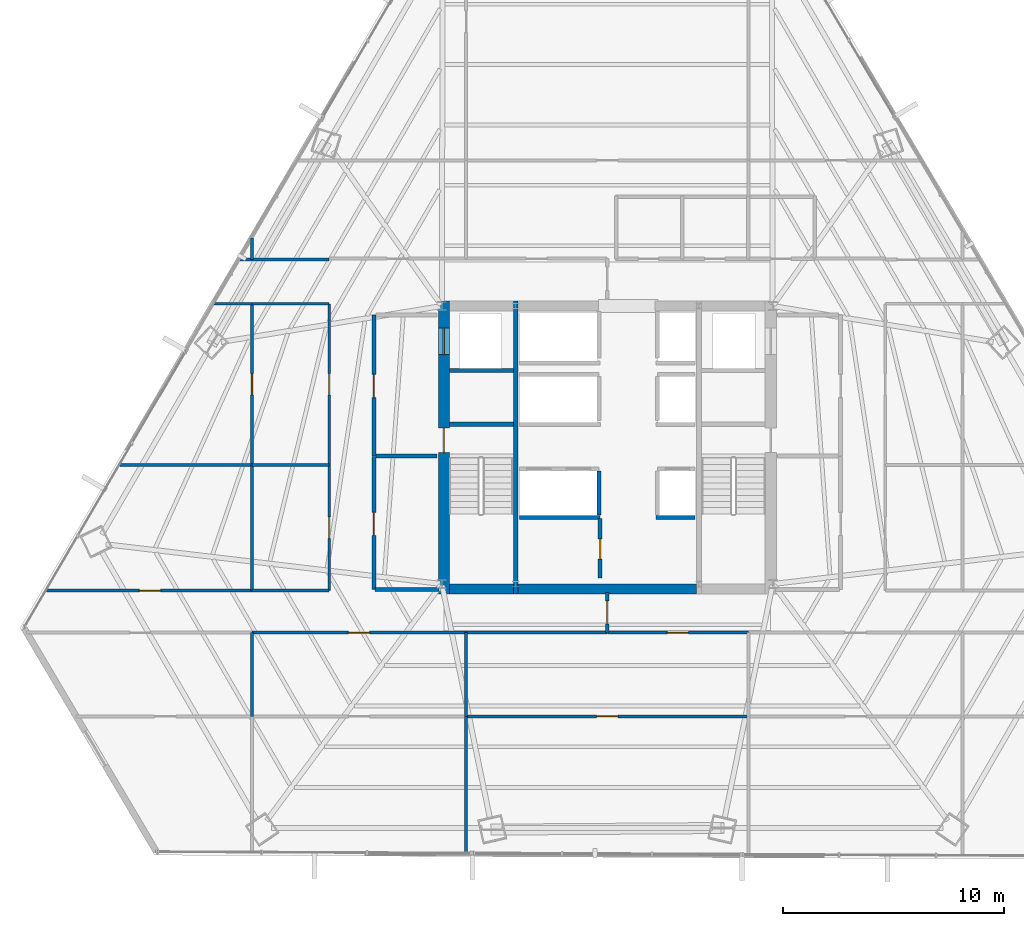
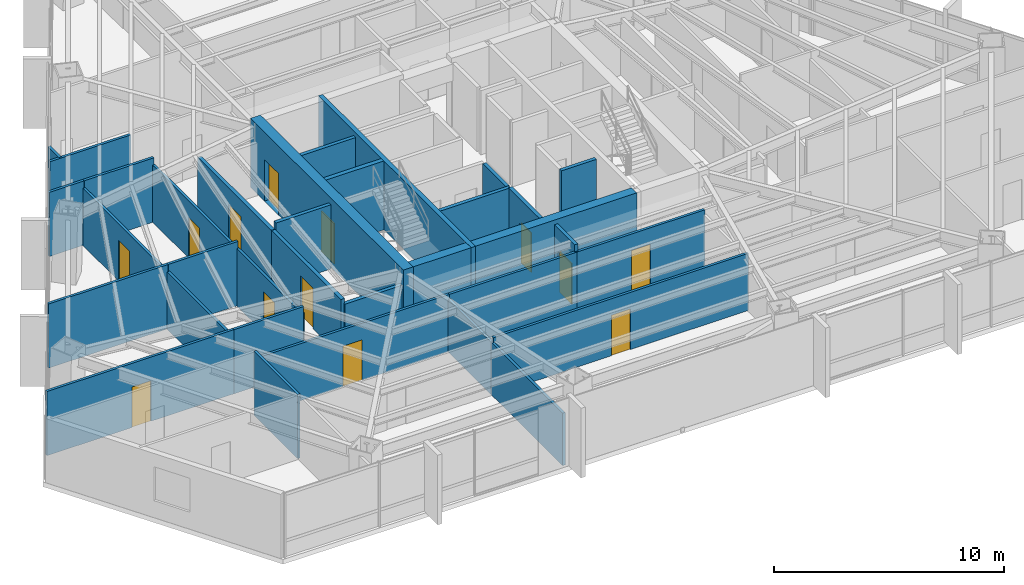
# One storey, part 30 of 37: 34 walls, 13 doors, 13 openings.
"""IFC4 building model written with IfcOpenShell, lengths in metres."""

from ifc_helpers import new_model, si_unit, direction, frame, frame_2d, origin, place, context, subcontext, project, spatial, rectangle, extrude, material, layer, layer_set, type_object, element, fill, save


model = new_model("IFC4")

# Units and contexts
model_context = context("Model", 3, precision=1e-05, world=origin(), true_north=direction((0.0, 1.0)))
body_context = subcontext(model_context, "Body", "Model", "MODEL_VIEW")
ifc_project = project(units=[si_unit("LENGTHUNIT", "METRE"), si_unit("AREAUNIT", "SQUARE_METRE"), si_unit("VOLUMEUNIT", "CUBIC_METRE"), si_unit("PLANEANGLEUNIT", "RADIAN"), si_unit("MASSUNIT", "GRAM", prefix="KILO")], contexts=[model_context])

# Site, building, storey
site_placement = place(None, origin())
site = spatial("IfcSite", under=ifc_project, at=site_placement, CompositionType="ELEMENT")
building_placement = place(site_placement, origin())
building = spatial("IfcBuilding", under=site, at=building_placement, Name="Caelisora Broadcast Tower", CompositionType="ELEMENT")
storey_placement = place(building_placement, frame((0.0, 0.0, 101.75)))
storey = spatial("IfcBuildingStorey", under=building, at=storey_placement, Name="L26", CompositionType="ELEMENT", Elevation=101.75)

# Wall, openings, doors
ifc_material_1 = material(Name="Concrete 50 MPa (AS 3600 S50)", Category="concrete")
ifc_layer_1 = layer(ifc_material_1, 0.5, Name="Concrete 50 MPa (AS 3600 S50)")
ifc_layer_set_1 = layer_set([ifc_layer_1], Name="Concrete 50 MPa (AS 3600 S50)")
wall_type_1 = type_object("IfcWallType", Name="CW2", PredefinedType="SHEAR", material=ifc_layer_set_1)
wall_1_placement = place(storey_placement, frame((30.590087890625, 16.949951171875, 0.0), z_axis=(0.0, 0.0, 1.0), x_axis=(0.0, 1.0, 0.0)))
wall_1 = element("IfcWall", 1, at=wall_1_placement, inside=storey, type_object=wall_type_1, Name="L26 core shear wall CW2", PredefinedType="SHEAR", context=body_context, shape_type="SweptSolid", body=[
    extrude(rectangle(XDim=13.275146484375, YDim=0.5, at=frame_2d((6.6376953125, 0.0))), origin(), (0.0, 0.0, 1.0), 3.64990234375),
])
opening_1_placement = place(wall_1_placement, frame((6.39990234375, 0.0, 0.0)))
opening_1 = element("IfcOpeningElement", 2, at=opening_1_placement, cuts=wall_1, Name="Opening FD04", PredefinedType="OPENING", context=body_context, shape_type="SweptSolid", body=[
    extrude(rectangle(XDim=1.1201171875, YDim=2.14990234375, at=frame_2d((0.56005859375, 1.074951171875))), frame((0.0, 0.261962890625, 0.0), z_axis=(0.0, -1.0, 0.0), x_axis=(1.0, 0.0, 0.0)), (0.0, 0.0, 1.0), 0.52392578125),
])
opening_2_placement = place(wall_1_placement, frame((10.85009765625, 0.0, 0.0)))
opening_2 = element("IfcOpeningElement", 3, at=opening_2_placement, cuts=wall_1, Name="Opening LD04", PredefinedType="OPENING", context=body_context, shape_type="SweptSolid", body=[
    extrude(rectangle(XDim=1.199951171875, YDim=2.199951171875, at=frame_2d((0.60009765625, 1.10009765625))), frame((0.0, 0.261962890625, 0.0), z_axis=(0.0, -1.0, 0.0), x_axis=(1.0, 0.0, 0.0)), (0.0, 0.0, 1.0), 0.52392578125),
])
ifc_material_2 = material(Name="Pressurised Fire-Isolated Stair Door", Category="steel")
door_type_1 = type_object("IfcDoorType", Name="FD04", OperationType="NOTDEFINED", PredefinedType="DOOR", material=ifc_material_2)
door_1_placement = place(opening_1_placement, origin())
door_1 = element("IfcDoor", 4, at=door_1_placement, inside=storey, type_object=door_type_1, Name="L26 door FD04 (L26-DR-ST1)", OperationType="SINGLE_SWING_LEFT", OverallHeight=2.14990234375, OverallWidth=1.1201171875, PredefinedType="DOOR", context=body_context, shape_type="SweptSolid", body=[
    extrude(rectangle(XDim=1.1201171875, YDim=2.14990234375, at=frame_2d((0.56005859375, 1.074951171875))), frame((0.0, 0.02490234375, 0.0), z_axis=(0.0, -1.0, 0.0), x_axis=(1.0, 0.0, 0.0)), (0.0, 0.0, 1.0), 0.050048828125),
])
fill(opening_1, door_1)
ifc_material_3 = material(Name="Emergency Firefighting Lift Sliding Landing Door", Category="steel")
door_type_2 = type_object("IfcDoorType", Name="LD04", OperationType="NOTDEFINED", PredefinedType="DOOR", material=ifc_material_3)
door_2_placement = place(opening_2_placement, origin())
door_2 = element("IfcDoor", 5, at=door_2_placement, inside=storey, type_object=door_type_2, Name="L26 door LD04 (L26-LD-FFL1)", OperationType="SLIDING_TO_LEFT", OverallHeight=2.199951171875, OverallWidth=1.199951171875, PredefinedType="DOOR", context=body_context, shape_type="SweptSolid", body=[
    extrude(rectangle(XDim=1.199951171875, YDim=2.199951171875, at=frame_2d((0.60009765625, 1.10009765625))), frame((0.0, 0.02490234375, 0.0), z_axis=(0.0, -1.0, 0.0), x_axis=(1.0, 0.0, 0.0)), (0.0, 0.0, 1.0), 0.050048828125),
])
fill(opening_2, door_2)

# Walls
ifc_layer_2 = layer(ifc_material_1, 0.449951171875, Name="Concrete 50 MPa (AS 3600 S50)")
ifc_layer_set_2 = layer_set([ifc_layer_2], Name="Concrete 50 MPa (AS 3600 S50)")
wall_type_2 = type_object("IfcWallType", Name="CW5", PredefinedType="SHEAR", material=ifc_layer_set_2)
wall_2_placement = place(storey_placement, frame((30.840087890625, 17.175048828125, 0.0), z_axis=(0.0, 0.0, 1.0), x_axis=(1.0, 0.0, 0.0)))
element("IfcWall", 6, at=wall_2_placement, inside=storey, type_object=wall_type_2, Name="L26 core shear wall CW5", PredefinedType="SHEAR", context=body_context, shape_type="SweptSolid", body=[
    extrude(rectangle(XDim=2.89990234375, YDim=0.449951171875, at=frame_2d((1.449951171875, 0.0))), origin(), (0.0, 0.0, 1.0), 3.64990234375),
])
wall_3_placement = place(storey_placement, frame((33.9599609375, 17.175048828125, 0.0), z_axis=(0.0, 0.0, 1.0), x_axis=(1.0, 0.0, 0.0)))
element("IfcWall", 7, at=wall_3_placement, inside=storey, type_object=wall_type_2, Name="L26 core shear wall CW5", PredefinedType="SHEAR", context=body_context, shape_type="SweptSolid", body=[
    extrude(rectangle(XDim=8.080078125, YDim=0.449951171875, at=frame_2d((4.0400390625, 0.0))), origin(), (0.0, 0.0, 1.0), 3.64990234375),
])
ifc_layer_3 = layer(ifc_material_1, 0.219970703125, Name="Concrete 50 MPa (AS 3600 S50)")
ifc_layer_set_3 = layer_set([ifc_layer_3], Name="Concrete 50 MPa (AS 3600 S50)")
wall_type_3 = type_object("IfcWallType", Name="CW7", PredefinedType="SHEAR", material=ifc_layer_set_3)
wall_4_placement = place(storey_placement, frame((33.85009765625, 16.949951171875, 0.0), z_axis=(0.0, 0.0, 1.0), x_axis=(0.0, 1.0, 0.0)))
element("IfcWall", 8, at=wall_4_placement, inside=storey, type_object=wall_type_3, Name="L26 core shear wall CW7", PredefinedType="SHEAR", context=body_context, shape_type="SweptSolid", body=[
    extrude(rectangle(XDim=13.275146484375, YDim=0.219970703125, at=frame_2d((6.6376953125, 0.0))), origin(), (0.0, 0.0, 1.0), 3.64990234375),
])
wall_5_placement = place(storey_placement, frame((30.840087890625, 24.639892578125, 0.0), z_axis=(0.0, 0.0, 1.0), x_axis=(1.0, 0.0, 0.0)))
element("IfcWall", 9, at=wall_5_placement, inside=storey, type_object=wall_type_3, Name="L26 core shear wall CW7", PredefinedType="SHEAR", context=body_context, shape_type="SweptSolid", body=[
    extrude(rectangle(XDim=2.89990234375, YDim=0.219970703125, at=frame_2d((1.449951171875, 0.0))), origin(), (0.0, 0.0, 1.0), 3.64990234375),
])
ifc_material_4 = material(Name="Fire-Rated Gypsum Shaft and Compartment Wall", Category="gypsum")
ifc_layer_4 = layer(ifc_material_4, 0.179931640625, Name="Fire-Rated Gypsum Shaft and Compartment Wall")
ifc_layer_set_4 = layer_set([ifc_layer_4], Name="Fire-Rated Gypsum Shaft and Compartment Wall")
wall_type_4 = type_object("IfcWallType", Name="PW2", PredefinedType="PARTITIONING", material=ifc_layer_set_4)
wall_6_placement = place(storey_placement, frame((37.6201171875, 20.52001953125, 0.0), z_axis=(0.0, 0.0, 1.0), x_axis=(0.0, 1.0, 0.0)))
element("IfcWall", 10, at=wall_6_placement, inside=storey, type_object=wall_type_4, Name="L26 fire compartment wall PW2", PredefinedType="PARTITIONING", context=body_context, shape_type="SweptSolid", body=[
    extrude(rectangle(XDim=2.0, YDim=0.179931640625, at=frame_2d((1.0, 0.0))), origin(), (0.0, 0.0, 1.0), 3.39990234375),
])

# Wall, opening, door
wall_7_placement = place(storey_placement, frame((27.419921875, 23.199951171875, 0.0), z_axis=(0.0, 0.0, 1.0), x_axis=(0.0, 1.0, 0.0)))
wall_7 = element("IfcWall", 11, at=wall_7_placement, inside=storey, type_object=wall_type_4, Name="L26 fire compartment wall PW2", PredefinedType="PARTITIONING", context=body_context, shape_type="SweptSolid", body=[
    extrude(rectangle(XDim=6.400146484375, YDim=0.179931640625, at=frame_2d((3.2001953125, 0.0))), origin(), (0.0, 0.0, 1.0), 3.0263671875),
])
opening_3_placement = place(wall_7_placement, frame((2.64990234375, 0.0, 0.0)))
opening_3 = element("IfcOpeningElement", 12, at=opening_3_placement, cuts=wall_7, Name="Opening FD02", PredefinedType="OPENING", context=body_context, shape_type="SweptSolid", body=[
    extrude(rectangle(XDim=1.050048828125, YDim=2.14990234375, at=frame_2d((0.52490234375, 1.074951171875))), frame((0.0, 0.10205078125, 0.0), z_axis=(0.0, -1.0, 0.0), x_axis=(1.0, 0.0, 0.0)), (0.0, 0.0, 1.0), 0.203857421875),
])
ifc_material_5 = material(Name="Single-Leaf Steel Fire Lobby Door", Category="steel")
door_type_3 = type_object("IfcDoorType", Name="FD02", OperationType="NOTDEFINED", PredefinedType="DOOR", material=ifc_material_5)
door_3_placement = place(opening_3_placement, origin())
door_3 = element("IfcDoor", 13, at=door_3_placement, inside=storey, type_object=door_type_3, Name="L26 door FD02 (L26-DR-P01D1)", OperationType="SINGLE_SWING_LEFT", OverallHeight=2.14990234375, OverallWidth=1.050048828125, PredefinedType="DOOR", context=body_context, shape_type="SweptSolid", body=[
    extrude(rectangle(XDim=1.050048828125, YDim=2.14990234375, at=frame_2d((0.52490234375, 1.074951171875))), frame((0.0, 0.02490234375, 0.0), z_axis=(0.0, -1.0, 0.0), x_axis=(1.0, 0.0, 0.0)), (0.0, 0.0, 1.0), 0.050048828125),
])
fill(opening_3, door_3)

# Walls
wall_8_placement = place(storey_placement, frame((27.52001953125, 23.199951171875, 0.0), z_axis=(0.0, 0.0, 1.0), x_axis=(1.0, 0.0, 0.0)))
element("IfcWall", 14, at=wall_8_placement, inside=storey, type_object=wall_type_4, Name="L26 fire compartment wall PW2", PredefinedType="PARTITIONING", context=body_context, shape_type="SweptSolid", body=[
    extrude(rectangle(XDim=2.760009765625, YDim=0.179931640625, at=frame_2d((1.3798828125, 0.0))), origin(), (0.0, 0.0, 1.0), 3.39990234375),
])
wall_9_placement = place(storey_placement, frame((30.860107421875, 27.070068359375, 0.0), z_axis=(0.0, 0.0, 1.0), x_axis=(1.0, 0.0, 0.0)))
element("IfcWall", 15, at=wall_9_placement, inside=storey, type_object=wall_type_4, Name="L26 fire compartment wall PW2", PredefinedType="PARTITIONING", context=body_context, shape_type="SweptSolid", body=[
    extrude(rectangle(XDim=2.89990234375, YDim=0.179931640625, at=frame_2d((1.449951171875, 0.0))), origin(), (0.0, 0.0, 1.0), 3.39990234375),
])
wall_10_placement = place(storey_placement, frame((34.02001953125, 20.419921875, 0.0), z_axis=(0.0, 0.0, 1.0), x_axis=(1.0, 0.0, 0.0)))
element("IfcWall", 16, at=wall_10_placement, inside=storey, type_object=wall_type_4, Name="L26 fire compartment wall PW2", PredefinedType="PARTITIONING", context=body_context, shape_type="SweptSolid", body=[
    extrude(rectangle(XDim=3.639892578125, YDim=0.179931640625, at=frame_2d((1.81982421875, 0.0))), origin(), (0.0, 0.0, 1.0), 3.39990234375),
])
wall_11_placement = place(storey_placement, frame((40.219970703125, 20.419921875, 0.0), z_axis=(0.0, 0.0, 1.0), x_axis=(1.0, 0.0, 0.0)))
element("IfcWall", 17, at=wall_11_placement, inside=storey, type_object=wall_type_4, Name="L26 fire compartment wall PW2", PredefinedType="PARTITIONING", context=body_context, shape_type="SweptSolid", body=[
    extrude(rectangle(XDim=1.760009765625, YDim=0.179931640625, at=frame_2d((0.8798828125, 0.0))), origin(), (0.0, 0.0, 1.0), 3.39990234375),
])

# Wall, opening, door
wall_12_placement = place(storey_placement, frame((37.679931640625, 17.679931640625, 0.0), z_axis=(0.0, 0.0, 1.0), x_axis=(0.0, 1.0, 0.0)))
wall_12 = element("IfcWall", 18, at=wall_12_placement, inside=storey, type_object=wall_type_4, Name="L26 fire compartment wall PW2", PredefinedType="PARTITIONING", context=body_context, shape_type="SweptSolid", body=[
    extrude(rectangle(XDim=2.699951171875, YDim=0.179931640625, at=frame_2d((1.35009765625, 0.0))), origin(), (0.0, 0.0, 1.0), 3.39990234375),
])
opening_4_placement = place(wall_12_placement, frame((0.85009765625, 0.0, 0.0)))
opening_4 = element("IfcOpeningElement", 19, at=opening_4_placement, cuts=wall_12, Name="Opening FD03", PredefinedType="OPENING", context=body_context, shape_type="SweptSolid", body=[
    extrude(rectangle(XDim=0.89990234375, YDim=2.10009765625, at=frame_2d((0.449951171875, 1.050048828125))), frame((0.0, 0.10205078125, 0.0), z_axis=(0.0, -1.0, 0.0), x_axis=(1.0, 0.0, 0.0)), (0.0, 0.0, 1.0), 0.203857421875),
])
ifc_material_6 = material(Name="Single-Leaf Steel Riser Fire Access Door", Category="steel")
door_type_4 = type_object("IfcDoorType", Name="FD03", OperationType="NOTDEFINED", PredefinedType="DOOR", material=ifc_material_6)
door_4_placement = place(opening_4_placement, origin())
door_4 = element("IfcDoor", 20, at=door_4_placement, inside=storey, type_object=door_type_4, Name="L26 door FD03 (L26-DR-P11D1)", OperationType="SINGLE_SWING_LEFT", OverallHeight=2.10009765625, OverallWidth=0.89990234375, PredefinedType="DOOR", context=body_context, shape_type="SweptSolid", body=[
    extrude(rectangle(XDim=0.89990234375, YDim=2.10009765625, at=frame_2d((0.449951171875, 1.050048828125))), frame((0.0, 0.02490234375, 0.0), z_axis=(0.0, -1.0, 0.0), x_axis=(1.0, 0.0, 0.0)), (0.0, 0.0, 1.0), 0.050048828125),
])
fill(opening_4, door_4)

wall_13_placement = place(storey_placement, frame((27.419921875, 17.14990234375, 0.0), z_axis=(0.0, 0.0, 1.0), x_axis=(0.0, 1.0, 0.0)))
wall_13 = element("IfcWall", 21, at=wall_13_placement, inside=storey, type_object=wall_type_4, Name="L26 fire compartment wall PW2", PredefinedType="PARTITIONING", context=body_context, shape_type="SweptSolid", body=[
    extrude(rectangle(XDim=6.030029296875, YDim=0.179931640625, at=frame_2d((3.01513671875, 0.0))), origin(), (0.0, 0.0, 1.0), 3.0263671875),
])
opening_5_placement = place(wall_13_placement, frame((2.449951171875, 0.0, 0.0)))
opening_5 = element("IfcOpeningElement", 22, at=opening_5_placement, cuts=wall_13, Name="Opening FD02", PredefinedType="OPENING", context=body_context, shape_type="SweptSolid", body=[
    extrude(rectangle(XDim=1.050048828125, YDim=2.14990234375, at=frame_2d((0.52490234375, 1.074951171875))), frame((0.0, 0.10205078125, 0.0), z_axis=(0.0, -1.0, 0.0), x_axis=(1.0, 0.0, 0.0)), (0.0, 0.0, 1.0), 0.203857421875),
])
door_5_placement = place(opening_5_placement, origin())
door_5 = element("IfcDoor", 23, at=door_5_placement, inside=storey, type_object=door_type_3, Name="L26 door FD02 (L26-DR-P12D1)", OperationType="SINGLE_SWING_RIGHT", OverallHeight=2.14990234375, OverallWidth=1.050048828125, PredefinedType="DOOR", context=body_context, shape_type="SweptSolid", body=[
    extrude(rectangle(XDim=1.050048828125, YDim=2.14990234375, at=frame_2d((0.52490234375, 1.074951171875))), frame((0.0, 0.02490234375, 0.0), z_axis=(0.0, -1.0, 0.0), x_axis=(1.0, 0.0, 0.0)), (0.0, 0.0, 1.0), 0.050048828125),
])
fill(opening_5, door_5)

# Wall
wall_14_placement = place(storey_placement, frame((27.47998046875, 17.14990234375, 0.0), z_axis=(0.0, 0.0, 1.0), x_axis=(1.0, 0.0, 0.0)))
element("IfcWall", 24, at=wall_14_placement, inside=storey, type_object=wall_type_4, Name="L26 fire compartment wall PW2", PredefinedType="PARTITIONING", context=body_context, shape_type="SweptSolid", body=[
    extrude(rectangle(XDim=2.89990234375, YDim=0.179931640625, at=frame_2d((1.449951171875, 0.0))), origin(), (0.0, 0.0, 1.0), 2.78271484375),
])

# Wall, opening, door
wall_15_placement = place(storey_placement, frame((38.0, 15.205078125, 0.0), z_axis=(0.0, 0.0, 1.0), x_axis=(0.0, 1.0, 0.0)))
wall_15 = element("IfcWall", 25, at=wall_15_placement, inside=storey, type_object=wall_type_4, Name="L26 fire compartment wall PW2", PredefinedType="PARTITIONING", context=body_context, shape_type="SweptSolid", body=[
    extrude(rectangle(XDim=1.81982421875, YDim=0.179931640625, at=frame_2d((0.909912109375, 0.0))), origin(), (0.0, 0.0, 1.0), 3.39990234375),
])
opening_6_placement = place(wall_15_placement, frame((0.385009765625, 0.0, 0.0)))
opening_6 = element("IfcOpeningElement", 26, at=opening_6_placement, cuts=wall_15, Name="Opening FD02", PredefinedType="OPENING", context=body_context, shape_type="SweptSolid", body=[
    extrude(rectangle(XDim=1.050048828125, YDim=2.14990234375, at=frame_2d((0.52490234375, 1.074951171875))), frame((0.0, 0.10205078125, 0.0), z_axis=(0.0, -1.0, 0.0), x_axis=(1.0, 0.0, 0.0)), (0.0, 0.0, 1.0), 0.203857421875),
])
door_6_placement = place(opening_6_placement, origin())
door_6 = element("IfcDoor", 27, at=door_6_placement, inside=storey, type_object=door_type_3, Name="L26 door FD02 (L26-DR-P75D1)", OperationType="SINGLE_SWING_LEFT", OverallHeight=2.14990234375, OverallWidth=1.050048828125, PredefinedType="DOOR", context=body_context, shape_type="SweptSolid", body=[
    extrude(rectangle(XDim=1.050048828125, YDim=2.14990234375, at=frame_2d((0.52490234375, 1.074951171875))), frame((0.0, 0.02490234375, 0.0), z_axis=(0.0, -1.0, 0.0), x_axis=(1.0, 0.0, 0.0)), (0.0, 0.0, 1.0), 0.050048828125),
])
fill(opening_6, door_6)

ifc_material_7 = material(Name="Acoustic Steel-Stud Plasterboard Partition", Category="gypsum")
ifc_layer_5 = layer(ifc_material_7, 0.1298828125, Name="Acoustic Steel-Stud Plasterboard Partition")
ifc_layer_set_5 = layer_set([ifc_layer_5], Name="Acoustic Steel-Stud Plasterboard Partition")
wall_type_5 = type_object("IfcWallType", Name="PW3", PredefinedType="PARTITIONING", material=ifc_layer_set_5)
wall_16_placement = place(storey_placement, frame((31.60498046875, 11.39990234375, 0.0), z_axis=(0.0, 0.0, 1.0), x_axis=(1.0, 0.0, 0.0)))
wall_16 = element("IfcWall", 28, at=wall_16_placement, inside=storey, type_object=wall_type_5, Name="L26 internal partition PW3", PredefinedType="PARTITIONING", context=body_context, shape_type="SweptSolid", body=[
    extrude(rectangle(XDim=12.7900390625, YDim=0.1298828125, at=frame_2d((6.39501953125, 0.0))), origin(), (0.0, 0.0, 1.0), 3.0263671875),
])
opening_7_placement = place(wall_16_placement, frame((5.9150390625, 0.0, 0.0)))
opening_7 = element("IfcOpeningElement", 29, at=opening_7_placement, cuts=wall_16, Name="Opening D01", PredefinedType="OPENING", context=body_context, shape_type="SweptSolid", body=[
    extrude(rectangle(XDim=0.9599609375, YDim=2.14990234375, at=frame_2d((0.47998046875, 1.074951171875))), frame((0.0, 0.076904296875, 0.0), z_axis=(0.0, -1.0, 0.0), x_axis=(1.0, 0.0, 0.0)), (0.0, 0.0, 1.0), 0.15380859375),
])
ifc_material_8 = material(Name="Solid-Core Timber Acoustic Office Door", Category="wood")
door_type_5 = type_object("IfcDoorType", Name="D01", OperationType="NOTDEFINED", PredefinedType="DOOR", material=ifc_material_8)
door_7_placement = place(opening_7_placement, origin())
door_7 = element("IfcDoor", 30, at=door_7_placement, inside=storey, type_object=door_type_5, Name="L26 door D01 (L26-DR-P26D1)", OperationType="SINGLE_SWING_LEFT", OverallHeight=2.14990234375, OverallWidth=0.9599609375, PredefinedType="DOOR", context=body_context, shape_type="SweptSolid", body=[
    extrude(rectangle(XDim=0.9599609375, YDim=2.14990234375, at=frame_2d((0.47998046875, 1.074951171875))), frame((0.0, 0.02490234375, 0.0), z_axis=(0.0, -1.0, 0.0), x_axis=(1.0, 0.0, 0.0)), (0.0, 0.0, 1.0), 0.050048828125),
])
fill(opening_7, door_7)

wall_17_placement = place(storey_placement, frame((21.905029296875, 15.199951171875, 0.0), z_axis=(0.0, 0.0, 1.0), x_axis=(1.0, 0.0, 0.0)))
wall_17 = element("IfcWall", 31, at=wall_17_placement, inside=storey, type_object=wall_type_5, Name="L26 internal partition PW3", PredefinedType="PARTITIONING", context=body_context, shape_type="SweptSolid", body=[
    extrude(rectangle(XDim=9.68994140625, YDim=0.1298828125, at=frame_2d((4.844970703125, 0.0))), origin(), (0.0, 0.0, 1.0), 3.0263671875),
])
opening_8_placement = place(wall_17_placement, frame((4.364990234375, 0.0, 0.0)))
opening_8 = element("IfcOpeningElement", 32, at=opening_8_placement, cuts=wall_17, Name="Opening D01", PredefinedType="OPENING", context=body_context, shape_type="SweptSolid", body=[
    extrude(rectangle(XDim=0.9599609375, YDim=2.14990234375, at=frame_2d((0.47998046875, 1.074951171875))), frame((0.0, 0.076904296875, 0.0), z_axis=(0.0, -1.0, 0.0), x_axis=(1.0, 0.0, 0.0)), (0.0, 0.0, 1.0), 0.15380859375),
])
door_8_placement = place(opening_8_placement, origin())
door_8 = element("IfcDoor", 33, at=door_8_placement, inside=storey, type_object=door_type_5, Name="L26 door D01 (L26-DR-P32D1)", OperationType="SINGLE_SWING_RIGHT", OverallHeight=2.14990234375, OverallWidth=0.9599609375, PredefinedType="DOOR", context=body_context, shape_type="SweptSolid", body=[
    extrude(rectangle(XDim=0.9599609375, YDim=2.14990234375, at=frame_2d((0.47998046875, 1.074951171875))), frame((0.0, 0.02490234375, 0.0), z_axis=(0.0, -1.0, 0.0), x_axis=(1.0, 0.0, 0.0)), (0.0, 0.0, 1.0), 0.050048828125),
])
fill(opening_8, door_8)

wall_18_placement = place(storey_placement, frame((12.540283203125, 17.10009765625, 0.0), z_axis=(0.0, 0.0, 1.0), x_axis=(1.0, 0.0, 0.0)))
wall_18 = element("IfcWall", 34, at=wall_18_placement, inside=storey, type_object=wall_type_5, Name="L26 internal partition PW3", PredefinedType="PARTITIONING", context=body_context, shape_type="SweptSolid", body=[
    extrude(rectangle(XDim=9.354736328125, YDim=0.1298828125, at=frame_2d((4.67724609375, 0.0))), origin(), (0.0, 0.0, 1.0), 3.39990234375),
])
opening_9_placement = place(wall_18_placement, frame((4.251953125, 0.0, 0.0)))
opening_9 = element("IfcOpeningElement", 35, at=opening_9_placement, cuts=wall_18, Name="Opening D01", PredefinedType="OPENING", context=body_context, shape_type="SweptSolid", body=[
    extrude(rectangle(XDim=0.9599609375, YDim=2.14990234375, at=frame_2d((0.47998046875, 1.074951171875))), frame((0.0, 0.076904296875, 0.0), z_axis=(0.0, -1.0, 0.0), x_axis=(1.0, 0.0, 0.0)), (0.0, 0.0, 1.0), 0.15380859375),
])
door_9_placement = place(opening_9_placement, origin())
door_9 = element("IfcDoor", 36, at=door_9_placement, inside=storey, type_object=door_type_5, Name="L26 door D01 (L26-DR-P36D1)", OperationType="SINGLE_SWING_RIGHT", OverallHeight=2.14990234375, OverallWidth=0.9599609375, PredefinedType="DOOR", context=body_context, shape_type="SweptSolid", body=[
    extrude(rectangle(XDim=0.9599609375, YDim=2.14990234375, at=frame_2d((0.47998046875, 1.074951171875))), frame((0.0, 0.02490234375, 0.0), z_axis=(0.0, -1.0, 0.0), x_axis=(1.0, 0.0, 0.0)), (0.0, 0.0, 1.0), 0.050048828125),
])
fill(opening_9, door_9)

wall_19_placement = place(storey_placement, frame((25.39990234375, 22.804931640625, 0.0), z_axis=(0.0, 0.0, 1.0), x_axis=(0.0, 1.0, 0.0)))
wall_19 = element("IfcWall", 37, at=wall_19_placement, inside=storey, type_object=wall_type_5, Name="L26 internal partition PW3", PredefinedType="PARTITIONING", context=body_context, shape_type="SweptSolid", body=[
    extrude(rectangle(XDim=7.2900390625, YDim=0.1298828125, at=frame_2d((3.64501953125, 0.0))), origin(), (0.0, 0.0, 1.0), 3.0263671875),
])
opening_10_placement = place(wall_19_placement, frame((3.1650390625, 0.0, 0.0)))
opening_10 = element("IfcOpeningElement", 38, at=opening_10_placement, cuts=wall_19, Name="Opening D01", PredefinedType="OPENING", context=body_context, shape_type="SweptSolid", body=[
    extrude(rectangle(XDim=0.9599609375, YDim=2.14990234375, at=frame_2d((0.47998046875, 1.074951171875))), frame((0.0, 0.076904296875, 0.0), z_axis=(0.0, -1.0, 0.0), x_axis=(1.0, 0.0, 0.0)), (0.0, 0.0, 1.0), 0.15380859375),
])
door_10_placement = place(opening_10_placement, origin())
door_10 = element("IfcDoor", 39, at=door_10_placement, inside=storey, type_object=door_type_5, Name="L26 door D01 (L26-DR-P41D1)", OperationType="SINGLE_SWING_RIGHT", OverallHeight=2.14990234375, OverallWidth=0.9599609375, PredefinedType="DOOR", context=body_context, shape_type="SweptSolid", body=[
    extrude(rectangle(XDim=0.9599609375, YDim=2.14990234375, at=frame_2d((0.47998046875, 1.074951171875))), frame((0.0, 0.02490234375, 0.0), z_axis=(0.0, -1.0, 0.0), x_axis=(1.0, 0.0, 0.0)), (0.0, 0.0, 1.0), 0.050048828125),
])
fill(opening_10, door_10)

wall_20_placement = place(storey_placement, frame((21.89990234375, 22.804931640625, 0.0), z_axis=(0.0, 0.0, 1.0), x_axis=(0.0, 1.0, 0.0)))
wall_20 = element("IfcWall", 40, at=wall_20_placement, inside=storey, type_object=wall_type_5, Name="L26 internal partition PW3", PredefinedType="PARTITIONING", context=body_context, shape_type="SweptSolid", body=[
    extrude(rectangle(XDim=7.2900390625, YDim=0.1298828125, at=frame_2d((3.64501953125, 0.0))), origin(), (0.0, 0.0, 1.0), 3.0263671875),
])
opening_11_placement = place(wall_20_placement, frame((3.1650390625, 0.0, 0.0)))
opening_11 = element("IfcOpeningElement", 41, at=opening_11_placement, cuts=wall_20, Name="Opening D01", PredefinedType="OPENING", context=body_context, shape_type="SweptSolid", body=[
    extrude(rectangle(XDim=0.9599609375, YDim=2.14990234375, at=frame_2d((0.47998046875, 1.074951171875))), frame((0.0, 0.076904296875, 0.0), z_axis=(0.0, -1.0, 0.0), x_axis=(1.0, 0.0, 0.0)), (0.0, 0.0, 1.0), 0.15380859375),
])
door_11_placement = place(opening_11_placement, origin())
door_11 = element("IfcDoor", 42, at=door_11_placement, inside=storey, type_object=door_type_5, Name="L26 door D01 (L26-DR-P44D1)", OperationType="SINGLE_SWING_LEFT", OverallHeight=2.14990234375, OverallWidth=0.9599609375, PredefinedType="DOOR", context=body_context, shape_type="SweptSolid", body=[
    extrude(rectangle(XDim=0.9599609375, YDim=2.14990234375, at=frame_2d((0.47998046875, 1.074951171875))), frame((0.0, 0.02490234375, 0.0), z_axis=(0.0, -1.0, 0.0), x_axis=(1.0, 0.0, 0.0)), (0.0, 0.0, 1.0), 0.050048828125),
])
fill(opening_11, door_11)

# Wall
wall_21_placement = place(storey_placement, frame((31.60498046875, 15.199951171875, 0.0), z_axis=(0.0, 0.0, 1.0), x_axis=(1.0, 0.0, 0.0)))
element("IfcWall", 43, at=wall_21_placement, inside=storey, type_object=wall_type_5, Name="L26 internal partition PW3", PredefinedType="PARTITIONING", context=body_context, shape_type="SweptSolid", body=[
    extrude(rectangle(XDim=6.39013671875, YDim=0.1298828125, at=frame_2d((3.195068359375, 0.0))), origin(), (0.0, 0.0, 1.0), 3.0263671875),
])

# Wall, opening, door
wall_22_placement = place(storey_placement, frame((38.0048828125, 15.199951171875, 0.0), z_axis=(0.0, 0.0, 1.0), x_axis=(1.0, 0.0, 0.0)))
wall_22 = element("IfcWall", 44, at=wall_22_placement, inside=storey, type_object=wall_type_5, Name="L26 internal partition PW3", PredefinedType="PARTITIONING", context=body_context, shape_type="SweptSolid", body=[
    extrude(rectangle(XDim=6.39013671875, YDim=0.1298828125, at=frame_2d((3.195068359375, 0.0))), origin(), (0.0, 0.0, 1.0), 3.0263671875),
])
opening_12_placement = place(wall_22_placement, frame((2.715087890625, 0.0, 0.0)))
opening_12 = element("IfcOpeningElement", 45, at=opening_12_placement, cuts=wall_22, Name="Opening D01", PredefinedType="OPENING", context=body_context, shape_type="SweptSolid", body=[
    extrude(rectangle(XDim=0.9599609375, YDim=2.14990234375, at=frame_2d((0.47998046875, 1.074951171875))), frame((0.0, 0.076904296875, 0.0), z_axis=(0.0, -1.0, 0.0), x_axis=(1.0, 0.0, 0.0)), (0.0, 0.0, 1.0), 0.15380859375),
])
door_12_placement = place(opening_12_placement, origin())
door_12 = element("IfcDoor", 46, at=door_12_placement, inside=storey, type_object=door_type_5, Name="L26 door D01 (L26-DR-P49D1)", OperationType="SINGLE_SWING_RIGHT", OverallHeight=2.14990234375, OverallWidth=0.9599609375, PredefinedType="DOOR", context=body_context, shape_type="SweptSolid", body=[
    extrude(rectangle(XDim=0.9599609375, YDim=2.14990234375, at=frame_2d((0.47998046875, 1.074951171875))), frame((0.0, 0.02490234375, 0.0), z_axis=(0.0, -1.0, 0.0), x_axis=(1.0, 0.0, 0.0)), (0.0, 0.0, 1.0), 0.050048828125),
])
fill(opening_12, door_12)

# Walls
wall_23_placement = place(storey_placement, frame((31.60009765625, 5.193603515625, 0.0), z_axis=(0.0, 0.0, 1.0), x_axis=(0.0, 1.0, 0.0)))
element("IfcWall", 47, at=wall_23_placement, inside=storey, type_object=wall_type_5, Name="L26 internal partition PW3", PredefinedType="PARTITIONING", context=body_context, shape_type="SweptSolid", body=[
    extrude(rectangle(XDim=6.201416015625, YDim=0.1298828125, at=frame_2d((3.1005859375, 0.0))), origin(), (0.0, 0.0, 1.0), 2.78271484375),
])
wall_24_placement = place(storey_placement, frame((15.9052734375, 22.800048828125, 0.0), z_axis=(0.0, 0.0, 1.0), x_axis=(1.0, 0.0, 0.0)))
element("IfcWall", 48, at=wall_24_placement, inside=storey, type_object=wall_type_5, Name="L26 internal partition PW3", PredefinedType="PARTITIONING", context=body_context, shape_type="SweptSolid", body=[
    extrude(rectangle(XDim=5.98974609375, YDim=0.1298828125, at=frame_2d((2.994873046875, 0.0))), origin(), (0.0, 0.0, 1.0), 3.39990234375),
])

# Wall, opening, door
wall_25_placement = place(storey_placement, frame((25.39990234375, 17.10498046875, 0.0), z_axis=(0.0, 0.0, 1.0), x_axis=(0.0, 1.0, 0.0)))
wall_25 = element("IfcWall", 49, at=wall_25_placement, inside=storey, type_object=wall_type_5, Name="L26 internal partition PW3", PredefinedType="PARTITIONING", context=body_context, shape_type="SweptSolid", body=[
    extrude(rectangle(XDim=5.68994140625, YDim=0.1298828125, at=frame_2d((2.844970703125, 0.0))), origin(), (0.0, 0.0, 1.0), 3.0263671875),
])
opening_13_placement = place(wall_25_placement, frame((2.364990234375, 0.0, 0.0)))
opening_13 = element("IfcOpeningElement", 50, at=opening_13_placement, cuts=wall_25, Name="Opening D01", PredefinedType="OPENING", context=body_context, shape_type="SweptSolid", body=[
    extrude(rectangle(XDim=0.9599609375, YDim=2.14990234375, at=frame_2d((0.47998046875, 1.074951171875))), frame((0.0, 0.076904296875, 0.0), z_axis=(0.0, -1.0, 0.0), x_axis=(1.0, 0.0, 0.0)), (0.0, 0.0, 1.0), 0.15380859375),
])
door_13_placement = place(opening_13_placement, origin())
door_13 = element("IfcDoor", 51, at=door_13_placement, inside=storey, type_object=door_type_5, Name="L26 door D01 (L26-DR-P56D1)", OperationType="SINGLE_SWING_RIGHT", OverallHeight=2.14990234375, OverallWidth=0.9599609375, PredefinedType="DOOR", context=body_context, shape_type="SweptSolid", body=[
    extrude(rectangle(XDim=0.9599609375, YDim=2.14990234375, at=frame_2d((0.47998046875, 1.074951171875))), frame((0.0, 0.02490234375, 0.0), z_axis=(0.0, -1.0, 0.0), x_axis=(1.0, 0.0, 0.0)), (0.0, 0.0, 1.0), 0.050048828125),
])
fill(opening_13, door_13)

# Walls
wall_26_placement = place(storey_placement, frame((21.89990234375, 17.10498046875, 0.0), z_axis=(0.0, 0.0, 1.0), x_axis=(0.0, 1.0, 0.0)))
element("IfcWall", 52, at=wall_26_placement, inside=storey, type_object=wall_type_5, Name="L26 internal partition PW3", PredefinedType="PARTITIONING", context=body_context, shape_type="SweptSolid", body=[
    extrude(rectangle(XDim=5.68994140625, YDim=0.1298828125, at=frame_2d((2.844970703125, 0.0))), origin(), (0.0, 0.0, 1.0), 3.0263671875),
])
wall_27_placement = place(storey_placement, frame((21.89990234375, 11.405029296875, 0.0), z_axis=(0.0, 0.0, 1.0), x_axis=(0.0, 1.0, 0.0)))
element("IfcWall", 53, at=wall_27_placement, inside=storey, type_object=wall_type_5, Name="L26 internal partition PW3", PredefinedType="PARTITIONING", context=body_context, shape_type="SweptSolid", body=[
    extrude(rectangle(XDim=3.7900390625, YDim=0.1298828125, at=frame_2d((1.89501953125, 0.0))), origin(), (0.0, 0.0, 1.0), 3.39990234375),
])
wall_28_placement = place(storey_placement, frame((31.60009765625, 11.405029296875, 0.0), z_axis=(0.0, 0.0, 1.0), x_axis=(0.0, 1.0, 0.0)))
element("IfcWall", 54, at=wall_28_placement, inside=storey, type_object=wall_type_5, Name="L26 internal partition PW3", PredefinedType="PARTITIONING", context=body_context, shape_type="SweptSolid", body=[
    extrude(rectangle(XDim=3.7900390625, YDim=0.1298828125, at=frame_2d((1.89501953125, 0.0))), origin(), (0.0, 0.0, 1.0), 2.78271484375),
])
for number, where, z_axis, x_axis, name in (
    (55, (21.905029296875, 17.10009765625, 0.0), (0.0, 0.0, 1.0), (1.0, 0.0, 0.0), "L26 internal partition PW3"),
    (56, (25.39501953125, 30.10009765625, 0.0), (0.0, 0.0, 1.0), (-1.0, 0.0, 0.0), "L26 internal partition PW3"),
):
    element("IfcWall", number, at=place(storey_placement, frame(where, z_axis=z_axis, x_axis=x_axis)), inside=storey, type_object=wall_type_5, Name=name, PredefinedType="PARTITIONING", context=body_context, shape_type="SweptSolid", body=[
        extrude(rectangle(XDim=3.489990234375, YDim=0.1298828125, at=frame_2d((1.7451171875, 0.0))), origin(), (0.0, 0.0, 1.0), 3.39990234375),
    ])
wall_29_placement = place(storey_placement, frame((21.353515625, 32.10009765625, 0.0), z_axis=(0.0, 0.0, 1.0), x_axis=(1.0, 0.0, 0.0)))
element("IfcWall", 57, at=wall_29_placement, inside=storey, type_object=wall_type_5, Name="L26 internal partition PW3", PredefinedType="PARTITIONING", context=body_context, shape_type="SweptSolid", body=[
    extrude(rectangle(XDim=4.04150390625, YDim=0.1298828125, at=frame_2d((2.020751953125, 0.0))), origin(), (0.0, 0.0, 1.0), 3.39990234375),
])
wall_30_placement = place(storey_placement, frame((21.905029296875, 22.800048828125, 0.0), z_axis=(0.0, 0.0, 1.0), x_axis=(1.0, 0.0, 0.0)))
element("IfcWall", 58, at=wall_30_placement, inside=storey, type_object=wall_type_5, Name="L26 internal partition PW3", PredefinedType="PARTITIONING", context=body_context, shape_type="SweptSolid", body=[
    extrude(rectangle(XDim=3.489990234375, YDim=0.1298828125, at=frame_2d((1.7451171875, 0.0))), origin(), (0.0, 0.0, 1.0), 3.39990234375),
])
wall_31_placement = place(storey_placement, frame((20.156005859375, 30.10009765625, 0.0), z_axis=(0.0, 0.0, 1.0), x_axis=(1.0, 0.0, 0.0)))
element("IfcWall", 59, at=wall_31_placement, inside=storey, type_object=wall_type_5, Name="L26 internal partition PW3", PredefinedType="PARTITIONING", context=body_context, shape_type="SweptSolid", body=[
    extrude(rectangle(XDim=1.739013671875, YDim=0.1298828125, at=frame_2d((0.86962890625, 0.0))), origin(), (0.0, 0.0, 1.0), 3.39990234375),
])
wall_32_placement = place(storey_placement, frame((21.89990234375, 32.10498046875, 0.0), z_axis=(0.0, 0.0, 1.0), x_axis=(0.0, 1.0, 0.0)))
element("IfcWall", 60, at=wall_32_placement, inside=storey, type_object=wall_type_5, Name="L26 internal partition PW3", PredefinedType="PARTITIONING", context=body_context, shape_type="SweptSolid", body=[
    extrude(rectangle(XDim=0.971923828125, YDim=0.1298828125, at=frame_2d((0.48583984375, 0.0))), origin(), (0.0, 0.0, 1.0), 3.39990234375),
])

save(model, "model.ifc")
